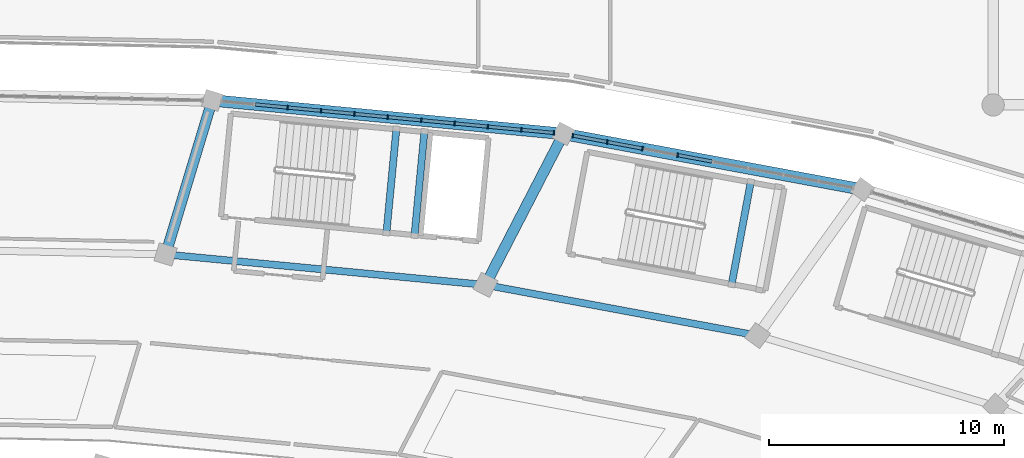
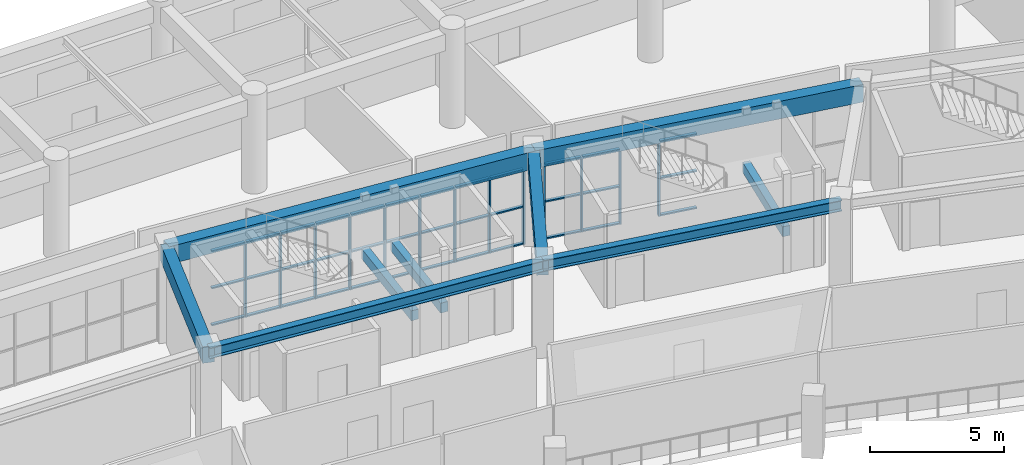
# One storey, part 61 of 141: 49 members, 9 beams, 2 elements without a shape of their own.
"""IFC4 building model written with IfcOpenShell, lengths in metres."""

from ifc_helpers import new_model, si_unit, direction, frame, origin, origin_2d, place, context, subcontext, project, spatial, rectangle, i_section, extrude, material, layer, layer_set, material_profile, profile_set, type_object, element, aggregate, save


model = new_model("IFC4")

# Units and contexts
model_context = context("Model", 3, precision=1e-05, world=origin(), true_north=direction((0.0, 1.0)))
body_context = subcontext(model_context, "Body", "Model", "MODEL_VIEW")
ifc_project = project(units=[si_unit("LENGTHUNIT", "METRE"), si_unit("AREAUNIT", "SQUARE_METRE"), si_unit("VOLUMEUNIT", "CUBIC_METRE"), si_unit("PLANEANGLEUNIT", "RADIAN"), si_unit("MASSUNIT", "GRAM", prefix="KILO")], contexts=[model_context])

# Site, building, storey
site_placement = place(None, origin())
site = spatial("IfcSite", under=ifc_project, at=site_placement, CompositionType="ELEMENT")
building_placement = place(site_placement, origin())
building = spatial("IfcBuilding", under=site, at=building_placement, Name="Mphavela Belvedere Stadium", CompositionType="ELEMENT")
storey_placement = place(building_placement, frame((0.0, 0.0, 14.699951171875)))
storey = spatial("IfcBuildingStorey", under=building, at=storey_placement, Name="L03", CompositionType="ELEMENT", Elevation=14.699951171875)

# Beams
ifc_material_1 = material(Name="Concrete C40/50", Category="concrete")
ifc_material_profile_1 = material_profile(ifc_material_1, rectangle(XDim=0.300048828125, YDim=0.449951171875, at=origin_2d()), Name="RC 300x450")
ifc_profile_set_1 = profile_set([ifc_material_profile_1], Name="Concrete C40/50")
beam_type_1 = type_object("IfcBeamType", Name="BM-RC300x450", PredefinedType="BEAM", material=ifc_profile_set_1)
beam_1_placement = place(storey_placement, frame((144.53515625, 154.541259765625, 1.824951171875), z_axis=(0.094981784239, 0.995479010659, 0.0), x_axis=(-0.995479010659, 0.094981784239, 0.0)))
element("IfcBeam", 1, at=beam_1_placement, inside=storey, type_object=beam_type_1, Name="Core C03 landing trimmer beam L03-1", PredefinedType="BEAM", context=body_context, shape_type="SweptSolid", body=[
    extrude(rectangle(XDim=0.300048828125, YDim=0.449951171875, at=origin_2d()), origin(), (0.0, 0.0, 1.0), 4.469970703125),
])
beam_2_placement = place(storey_placement, frame((145.729736328125, 154.42724609375, 1.824951171875), z_axis=(0.094976620198, 0.995479503363, 0.0), x_axis=(-0.995479503363, 0.094976620198, 0.0)))
element("IfcBeam", 2, at=beam_2_placement, inside=storey, type_object=beam_type_1, Name="Core C03 landing trimmer beam L03-2", PredefinedType="BEAM", context=body_context, shape_type="SweptSolid", body=[
    extrude(rectangle(XDim=0.300048828125, YDim=0.449951171875, at=origin_2d()), origin(), (0.0, 0.0, 1.0), 4.47021484375),
])
beam_3_placement = place(storey_placement, frame((159.233154296875, 152.34033203125, 1.824951171875), z_axis=(0.183137493709, 0.983087309652, 0.0), x_axis=(-0.983087309652, 0.183137493709, 0.0)))
element("IfcBeam", 3, at=beam_3_placement, inside=storey, type_object=beam_type_1, Name="Core P02 landing trimmer beam L03-1", PredefinedType="BEAM", context=body_context, shape_type="SweptSolid", body=[
    extrude(rectangle(XDim=0.300048828125, YDim=0.449951171875, at=origin_2d()), origin(), (0.0, 0.0, 1.0), 4.469970703125),
])
ifc_material_2 = material(Name="Concrete C40/50", Category="concrete")
ifc_material_profile_2 = material_profile(ifc_material_2, rectangle(XDim=0.449951171875, YDim=0.75, at=origin_2d()), Name="RC 450x750")
ifc_profile_set_2 = profile_set([ifc_material_profile_2], Name="Concrete C40/50")
beam_type_2 = type_object("IfcBeamType", Name="BM-RC450x750", PredefinedType="BEAM", material=ifc_profile_set_2)
beam_4_placement = place(storey_placement, frame((148.750244140625, 152.33544921875, 3.875), z_axis=(0.458951286165, 0.888461432436, 0.0), x_axis=(-0.888461432436, 0.458951286165, 0.0)))
element("IfcBeam", 4, at=beam_4_placement, inside=storey, type_object=beam_type_2, Name="Radial concourse girder L03 R3R4-11", PredefinedType="BEAM", context=body_context, shape_type="SweptSolid", body=[
    extrude(rectangle(XDim=0.449951171875, YDim=0.75, at=origin_2d()), origin(), (0.0, 0.0, 1.0), 7.2392578125),
])
beam_5_placement = place(storey_placement, frame((135.1328125, 153.634033203125, 3.875), z_axis=(0.28918755919, 0.95727245631, 0.0), x_axis=(-0.95727245631, 0.28918755919, 0.0)))
element("IfcBeam", 5, at=beam_5_placement, inside=storey, type_object=beam_type_2, Name="Radial concourse girder L03 R3R4-12", PredefinedType="BEAM", context=body_context, shape_type="SweptSolid", body=[
    extrude(rectangle(XDim=0.449951171875, YDim=0.75, at=origin_2d()), origin(), (0.0, 0.0, 1.0), 6.8525390625),
])
ifc_material_3 = material(Name="Concrete C40/50", Category="concrete")
ifc_material_profile_3 = material_profile(ifc_material_3, rectangle(XDim=0.5, YDim=0.800048828125, at=origin_2d()), Name="RC 500x800")
ifc_profile_set_3 = profile_set([ifc_material_profile_3], Name="Concrete C40/50")
beam_type_3 = type_object("IfcBeamType", Name="BM-SPANDREL-800", PredefinedType="SPANDREL", material=ifc_profile_set_3)
beam_6_placement = place(storey_placement, frame((164.80126953125, 156.39697265625, 3.85009765625), z_axis=(-0.983098571421, 0.183077029882, 0.0), x_axis=(-0.183077029882, -0.983098571421, 0.0)))
element("IfcBeam", 6, at=beam_6_placement, inside=storey, type_object=beam_type_3, Name="Circumferential girder L03 R4-10", PredefinedType="SPANDREL", context=body_context, shape_type="SweptSolid", body=[
    extrude(rectangle(XDim=0.5, YDim=0.800048828125, at=origin_2d()), origin(), (0.0, 0.0, 1.0), 12.947265625),
])
beam_7_placement = place(storey_placement, frame((152.07275390625, 158.767333984375, 3.85009765625), z_axis=(-0.995483415661, 0.094935605244, 0.0), x_axis=(-0.094935605244, -0.995483415661, 0.0)))
element("IfcBeam", 7, at=beam_7_placement, inside=storey, type_object=beam_type_3, Name="Circumferential girder L03 R4-11", PredefinedType="SPANDREL", context=body_context, shape_type="SweptSolid", body=[
    extrude(rectangle(XDim=0.5, YDim=0.800048828125, at=origin_2d()), origin(), (0.0, 0.0, 1.0), 15.026123046875),
])
ifc_material_4 = material(Name="Steel S355", Category="steel")
ifc_material_profile_4 = material_profile(ifc_material_4, i_section(OverallWidth=0.300048828125, OverallDepth=0.489990234375, WebThickness=0.011962890625, FlangeThickness=0.02294921875, at=origin_2d()), Name="HEA 500")
ifc_profile_set_4 = profile_set([ifc_material_profile_4], Name="Steel S355")
beam_type_4 = type_object("IfcBeamType", Name="BM-STEEL-HEA500", PredefinedType="BEAM", material=ifc_profile_set_4)
beam_8_placement = place(storey_placement, frame((160.337890625, 150.177490234375, 4.005126953125), z_axis=(-0.983097725009, 0.18308157494, 0.0), x_axis=(-0.18308157494, -0.983097725009, 0.0)))
element("IfcBeam", 8, at=beam_8_placement, inside=storey, type_object=beam_type_4, Name="Circumferential girder L03 R3-10", PredefinedType="BEAM", context=body_context, shape_type="SweptSolid", body=[
    extrude(i_section(OverallWidth=0.300048828125, OverallDepth=0.489990234375, WebThickness=0.011962890625, FlangeThickness=0.02294921875, at=origin_2d()), origin(), (0.0, 0.0, 1.0), 11.786865234375),
])
beam_9_placement = place(storey_placement, frame((148.750244140625, 152.33544921875, 4.005126953125), z_axis=(-0.995483834103, 0.094931217412, 0.0), x_axis=(-0.094931217412, -0.995483834103, 0.0)))
element("IfcBeam", 9, at=beam_9_placement, inside=storey, type_object=beam_type_4, Name="Circumferential girder L03 R3-11", PredefinedType="BEAM", context=body_context, shape_type="SweptSolid", body=[
    extrude(i_section(OverallWidth=0.300048828125, OverallDepth=0.489990234375, WebThickness=0.011962890625, FlangeThickness=0.02294921875, at=origin_2d()), origin(), (0.0, 0.0, 1.0), 13.67919921875),
])

# Curtain wall, members
ifc_material_5 = material(Name="Anodised bronze unitised curtain wall framing")
ifc_layer_1 = layer(ifc_material_5, 0.18505859375)
ifc_layer_set_1 = layer_set([ifc_layer_1], Name="Anodised bronze unitised curtain wall framing")
curtain_wall_type_1 = type_object("IfcCurtainWallType", Name="CW-UNIT-02", PredefinedType="USERDEFINED", material=ifc_layer_set_1)
curtain_wall_1_placement = place(storey_placement, origin())
curtain_wall_1 = element("IfcCurtainWall", 10, at=curtain_wall_1_placement, inside=storey, type_object=curtain_wall_type_1, Name="Belvedere colonnade curtain wall L03-10", ObjectType="UNITISED CURTAIN WALL", PredefinedType="USERDEFINED")
ifc_material_6 = material(Name="Anodised bronze extruded aluminium", Category="aluminium")
ifc_material_profile_5 = material_profile(ifc_material_6, rectangle(XDim=0.179931640625, YDim=0.06494140625, at=origin_2d()), Name="CW-MUL 180x65")
ifc_profile_set_5 = profile_set([ifc_material_profile_5], Name="Anodised bronze extruded aluminium")
member_type_1 = type_object("IfcMemberType", Name="CWM-180x65", PredefinedType="MULLION", material=ifc_profile_set_5)
member_1_placement = place(storey_placement, frame((156.937744140625, 157.861328125, 0.0), z_axis=(0.0, 0.0, 1.0), x_axis=(-0.18308790129, -0.983096546836, 0.0)))
member_1 = element("IfcMember", 11, at=member_1_placement, type_object=member_type_1, Name="CW-02 mullion 6", PredefinedType="MULLION", context=body_context, shape_type="SweptSolid", body=[
    extrude(rectangle(XDim=0.179931640625, YDim=0.06494140625, at=origin_2d()), origin(), (0.0, 0.0, 1.0), 3.420166015625),
])
member_2_placement = place(storey_placement, frame((155.438232421875, 158.140625, 0.0), z_axis=(0.0, 0.0, 1.0), x_axis=(-0.18308790129, -0.983096546836, 0.0)))
member_2 = element("IfcMember", 12, at=member_2_placement, type_object=member_type_1, Name="CW-02 mullion 7", PredefinedType="MULLION", context=body_context, shape_type="SweptSolid", body=[
    extrude(rectangle(XDim=0.179931640625, YDim=0.06494140625, at=origin_2d()), origin(), (0.0, 0.0, 1.0), 3.420166015625),
])
member_3_placement = place(storey_placement, frame((153.93896484375, 158.419921875, 0.0), z_axis=(0.0, 0.0, 1.0), x_axis=(-0.18308790129, -0.983096546836, 0.0)))
member_3 = element("IfcMember", 13, at=member_3_placement, type_object=member_type_1, Name="CW-02 mullion 8", PredefinedType="MULLION", context=body_context, shape_type="SweptSolid", body=[
    extrude(rectangle(XDim=0.179931640625, YDim=0.06494140625, at=origin_2d()), origin(), (0.0, 0.0, 1.0), 3.420166015625),
])
member_4_placement = place(storey_placement, frame((152.471435546875, 158.693115234375, 0.0), z_axis=(0.0, 0.0, 1.0), x_axis=(-0.18308790129, -0.983096546836, 0.0)))
member_4 = element("IfcMember", 14, at=member_4_placement, type_object=member_type_1, Name="CW-02 mullion 9", PredefinedType="MULLION", context=body_context, shape_type="SweptSolid", body=[
    extrude(rectangle(XDim=0.179931640625, YDim=0.06494140625, at=origin_2d()), origin(), (0.0, 0.0, 1.0), 3.420166015625),
])

ifc_material_7 = material(Name="Anodised bronze unitised curtain wall framing")
ifc_layer_2 = layer(ifc_material_7, 0.18994140625)
ifc_layer_set_2 = layer_set([ifc_layer_2], Name="Anodised bronze unitised curtain wall framing")
curtain_wall_type_2 = type_object("IfcCurtainWallType", Name="CW-UNIT-03", PredefinedType="USERDEFINED", material=ifc_layer_set_2)
curtain_wall_2_placement = place(storey_placement, origin())
curtain_wall_2 = element("IfcCurtainWall", 15, at=curtain_wall_2_placement, inside=storey, type_object=curtain_wall_type_2, Name="Belvedere colonnade curtain wall L03-11", ObjectType="UNITISED CURTAIN WALL", PredefinedType="USERDEFINED")
member_5_placement = place(storey_placement, frame((151.669189453125, 158.805908203125, 0.0), z_axis=(0.0, 0.0, 1.0), x_axis=(-0.094929381996, -0.99548400913, 0.0)))
member_5 = element("IfcMember", 16, at=member_5_placement, type_object=member_type_1, Name="CW-03 mullion 1", PredefinedType="MULLION", context=body_context, shape_type="SweptSolid", body=[
    extrude(rectangle(XDim=0.179931640625, YDim=0.06494140625, at=origin_2d()), origin(), (0.0, 0.0, 1.0), 3.420166015625),
])
member_6_placement = place(storey_placement, frame((150.280029296875, 158.9384765625, 0.0), z_axis=(0.0, 0.0, 1.0), x_axis=(-0.094929381996, -0.99548400913, 0.0)))
member_6 = element("IfcMember", 17, at=member_6_placement, type_object=member_type_1, Name="CW-03 mullion 2", PredefinedType="MULLION", context=body_context, shape_type="SweptSolid", body=[
    extrude(rectangle(XDim=0.179931640625, YDim=0.06494140625, at=origin_2d()), origin(), (0.0, 0.0, 1.0), 3.420166015625),
])
member_7_placement = place(storey_placement, frame((148.8583984375, 159.073974609375, 0.0), z_axis=(0.0, 0.0, 1.0), x_axis=(-0.094929381996, -0.99548400913, 0.0)))
member_7 = element("IfcMember", 18, at=member_7_placement, type_object=member_type_1, Name="CW-03 mullion 3", PredefinedType="MULLION", context=body_context, shape_type="SweptSolid", body=[
    extrude(rectangle(XDim=0.179931640625, YDim=0.06494140625, at=origin_2d()), origin(), (0.0, 0.0, 1.0), 3.420166015625),
])
member_8_placement = place(storey_placement, frame((147.436767578125, 159.20947265625, 0.0), z_axis=(0.0, 0.0, 1.0), x_axis=(-0.094929381996, -0.99548400913, 0.0)))
member_8 = element("IfcMember", 19, at=member_8_placement, type_object=member_type_1, Name="CW-03 mullion 4", PredefinedType="MULLION", context=body_context, shape_type="SweptSolid", body=[
    extrude(rectangle(XDim=0.179931640625, YDim=0.06494140625, at=origin_2d()), origin(), (0.0, 0.0, 1.0), 3.420166015625),
])
member_9_placement = place(storey_placement, frame((146.015380859375, 159.344970703125, 0.0), z_axis=(0.0, 0.0, 1.0), x_axis=(-0.094929381996, -0.99548400913, 0.0)))
member_9 = element("IfcMember", 20, at=member_9_placement, type_object=member_type_1, Name="CW-03 mullion 5", PredefinedType="MULLION", context=body_context, shape_type="SweptSolid", body=[
    extrude(rectangle(XDim=0.179931640625, YDim=0.06494140625, at=origin_2d()), origin(), (0.0, 0.0, 1.0), 3.420166015625),
])
member_10_placement = place(storey_placement, frame((144.59375, 159.480712890625, 0.0), z_axis=(0.0, 0.0, 1.0), x_axis=(-0.094929381996, -0.99548400913, 0.0)))
member_10 = element("IfcMember", 21, at=member_10_placement, type_object=member_type_1, Name="CW-03 mullion 6", PredefinedType="MULLION", context=body_context, shape_type="SweptSolid", body=[
    extrude(rectangle(XDim=0.179931640625, YDim=0.06494140625, at=origin_2d()), origin(), (0.0, 0.0, 1.0), 3.420166015625),
])
member_11_placement = place(storey_placement, frame((143.172119140625, 159.6162109375, 0.0), z_axis=(0.0, 0.0, 1.0), x_axis=(-0.094929381996, -0.99548400913, 0.0)))
member_11 = element("IfcMember", 22, at=member_11_placement, type_object=member_type_1, Name="CW-03 mullion 7", PredefinedType="MULLION", context=body_context, shape_type="SweptSolid", body=[
    extrude(rectangle(XDim=0.179931640625, YDim=0.06494140625, at=origin_2d()), origin(), (0.0, 0.0, 1.0), 3.420166015625),
])
member_12_placement = place(storey_placement, frame((141.75048828125, 159.751708984375, 0.0), z_axis=(0.0, 0.0, 1.0), x_axis=(-0.094929381996, -0.99548400913, 0.0)))
member_12 = element("IfcMember", 23, at=member_12_placement, type_object=member_type_1, Name="CW-03 mullion 8", PredefinedType="MULLION", context=body_context, shape_type="SweptSolid", body=[
    extrude(rectangle(XDim=0.179931640625, YDim=0.06494140625, at=origin_2d()), origin(), (0.0, 0.0, 1.0), 3.420166015625),
])
member_13_placement = place(storey_placement, frame((140.3291015625, 159.88720703125, 0.0), z_axis=(0.0, 0.0, 1.0), x_axis=(-0.094929381996, -0.99548400913, 0.0)))
member_13 = element("IfcMember", 24, at=member_13_placement, type_object=member_type_1, Name="CW-03 mullion 9", PredefinedType="MULLION", context=body_context, shape_type="SweptSolid", body=[
    extrude(rectangle(XDim=0.179931640625, YDim=0.06494140625, at=origin_2d()), origin(), (0.0, 0.0, 1.0), 3.420166015625),
])

# Member
ifc_material_8 = material(Name="Anodised bronze extruded aluminium", Category="aluminium")
ifc_material_profile_6 = material_profile(ifc_material_8, rectangle(XDim=0.139892578125, YDim=0.06005859375, at=origin_2d()), Name="CW-TRN 140x60")
ifc_profile_set_6 = profile_set([ifc_material_profile_6], Name="Anodised bronze extruded aluminium")
member_type_2 = type_object("IfcMemberType", Name="CWT-140x60", PredefinedType="USERDEFINED", material=ifc_profile_set_6)
member_14_placement = place(storey_placement, frame((158.405029296875, 157.588134765625, 0.030029296875), z_axis=(-0.983098571421, 0.183077029882, 0.0), x_axis=(-0.183077029882, -0.983098571421, 0.0)))
member_14 = element("IfcMember", 25, at=member_14_placement, type_object=member_type_2, Name="CW-02 transom 5.1", ObjectType="TRANSOM", PredefinedType="USERDEFINED", context=body_context, shape_type="SweptSolid", body=[
    extrude(rectangle(XDim=0.139892578125, YDim=0.06005859375, at=origin_2d()), origin(), (0.0, 0.0, 1.0), 1.460205078125),
])

member_15_placement = place(storey_placement, frame((158.405029296875, 157.588134765625, 1.7099609375), z_axis=(-0.983098571421, 0.183077029882, 0.0), x_axis=(-0.183077029882, -0.983098571421, 0.0)))
member_15 = element("IfcMember", 26, at=member_15_placement, type_object=member_type_2, Name="CW-02 transom 5.2", ObjectType="TRANSOM", PredefinedType="USERDEFINED", context=body_context, shape_type="SweptSolid", body=[
    extrude(rectangle(XDim=0.139892578125, YDim=0.06005859375, at=origin_2d()), origin(), (0.0, 0.0, 1.0), 1.460205078125),
])

member_16_placement = place(storey_placement, frame((158.405029296875, 157.588134765625, 3.39013671875), z_axis=(-0.983098571421, 0.183077029882, 0.0), x_axis=(-0.183077029882, -0.983098571421, 0.0)))
member_16 = element("IfcMember", 27, at=member_16_placement, type_object=member_type_2, Name="CW-02 transom 5.3", ObjectType="TRANSOM", PredefinedType="USERDEFINED", context=body_context, shape_type="SweptSolid", body=[
    extrude(rectangle(XDim=0.139892578125, YDim=0.06005859375, at=origin_2d()), origin(), (0.0, 0.0, 1.0), 1.460205078125),
])

member_17_placement = place(storey_placement, frame((155.40625, 158.146484375, 0.030029296875), z_axis=(-0.983092966177, 0.183107126716, 0.0), x_axis=(-0.183107126716, -0.983092966177, 0.0)))
member_17 = element("IfcMember", 28, at=member_17_placement, type_object=member_type_2, Name="CW-02 transom 7.1", ObjectType="TRANSOM", PredefinedType="USERDEFINED", context=body_context, shape_type="SweptSolid", body=[
    extrude(rectangle(XDim=0.139892578125, YDim=0.06005859375, at=origin_2d()), origin(), (0.0, 0.0, 1.0), 1.4599609375),
])

member_18_placement = place(storey_placement, frame((155.40625, 158.146484375, 1.7099609375), z_axis=(-0.983092966177, 0.183107126716, 0.0), x_axis=(-0.183107126716, -0.983092966177, 0.0)))
member_18 = element("IfcMember", 29, at=member_18_placement, type_object=member_type_2, Name="CW-02 transom 7.2", ObjectType="TRANSOM", PredefinedType="USERDEFINED", context=body_context, shape_type="SweptSolid", body=[
    extrude(rectangle(XDim=0.139892578125, YDim=0.06005859375, at=origin_2d()), origin(), (0.0, 0.0, 1.0), 1.4599609375),
])

member_19_placement = place(storey_placement, frame((155.40625, 158.146484375, 3.39013671875), z_axis=(-0.983092966177, 0.183107126716, 0.0), x_axis=(-0.183107126716, -0.983092966177, 0.0)))
member_19 = element("IfcMember", 30, at=member_19_placement, type_object=member_type_2, Name="CW-02 transom 7.3", ObjectType="TRANSOM", PredefinedType="USERDEFINED", context=body_context, shape_type="SweptSolid", body=[
    extrude(rectangle(XDim=0.139892578125, YDim=0.06005859375, at=origin_2d()), origin(), (0.0, 0.0, 1.0), 1.4599609375),
])

member_20_placement = place(storey_placement, frame((153.906982421875, 158.42578125, 0.030029296875), z_axis=(-0.983086399659, 0.183142378507, 0.0), x_axis=(-0.183142378507, -0.983086399659, 0.0)))
member_20 = element("IfcMember", 31, at=member_20_placement, type_object=member_type_2, Name="CW-02 transom 8.1", ObjectType="TRANSOM", PredefinedType="USERDEFINED", context=body_context, shape_type="SweptSolid", body=[
    extrude(rectangle(XDim=0.139892578125, YDim=0.06005859375, at=origin_2d()), origin(), (0.0, 0.0, 1.0), 1.427734375),
])

member_21_placement = place(storey_placement, frame((153.906982421875, 158.42578125, 1.7099609375), z_axis=(-0.983086399659, 0.183142378507, 0.0), x_axis=(-0.183142378507, -0.983086399659, 0.0)))
member_21 = element("IfcMember", 32, at=member_21_placement, type_object=member_type_2, Name="CW-02 transom 8.2", ObjectType="TRANSOM", PredefinedType="USERDEFINED", context=body_context, shape_type="SweptSolid", body=[
    extrude(rectangle(XDim=0.139892578125, YDim=0.06005859375, at=origin_2d()), origin(), (0.0, 0.0, 1.0), 1.427734375),
])

member_22_placement = place(storey_placement, frame((153.906982421875, 158.42578125, 3.39013671875), z_axis=(-0.983086399659, 0.183142378507, 0.0), x_axis=(-0.183142378507, -0.983086399659, 0.0)))
member_22 = element("IfcMember", 33, at=member_22_placement, type_object=member_type_2, Name="CW-02 transom 8.3", ObjectType="TRANSOM", PredefinedType="USERDEFINED", context=body_context, shape_type="SweptSolid", body=[
    extrude(rectangle(XDim=0.139892578125, YDim=0.06005859375, at=origin_2d()), origin(), (0.0, 0.0, 1.0), 1.427734375),
])

aggregate(curtain_wall_1, [member_1, member_2, member_3, member_4, member_14, member_15, member_16, member_17, member_18, member_19, member_20, member_21, member_22])

member_23_placement = place(storey_placement, frame((151.63671875, 158.80908203125, 0.030029296875), z_axis=(-0.995489697702, 0.09486970944, 0.0), x_axis=(-0.09486970944, -0.995489697702, 0.0)))
member_23 = element("IfcMember", 34, at=member_23_placement, type_object=member_type_2, Name="CW-03 transom 1.1", ObjectType="TRANSOM", PredefinedType="USERDEFINED", context=body_context, shape_type="SweptSolid", body=[
    extrude(rectangle(XDim=0.139892578125, YDim=0.06005859375, at=origin_2d()), origin(), (0.0, 0.0, 1.0), 1.33056640625),
])

member_24_placement = place(storey_placement, frame((151.63671875, 158.80908203125, 1.7099609375), z_axis=(-0.995489697702, 0.09486970944, 0.0), x_axis=(-0.09486970944, -0.995489697702, 0.0)))
member_24 = element("IfcMember", 35, at=member_24_placement, type_object=member_type_2, Name="CW-03 transom 1.2", ObjectType="TRANSOM", PredefinedType="USERDEFINED", context=body_context, shape_type="SweptSolid", body=[
    extrude(rectangle(XDim=0.139892578125, YDim=0.06005859375, at=origin_2d()), origin(), (0.0, 0.0, 1.0), 1.33056640625),
])

member_25_placement = place(storey_placement, frame((151.63671875, 158.80908203125, 3.39013671875), z_axis=(-0.995489697702, 0.09486970944, 0.0), x_axis=(-0.09486970944, -0.995489697702, 0.0)))
member_25 = element("IfcMember", 36, at=member_25_placement, type_object=member_type_2, Name="CW-03 transom 1.3", ObjectType="TRANSOM", PredefinedType="USERDEFINED", context=body_context, shape_type="SweptSolid", body=[
    extrude(rectangle(XDim=0.139892578125, YDim=0.06005859375, at=origin_2d()), origin(), (0.0, 0.0, 1.0), 1.33056640625),
])

member_26_placement = place(storey_placement, frame((150.24755859375, 158.94140625, 0.030029296875), z_axis=(-0.995484195822, 0.094927424215, 0.0), x_axis=(-0.094927424215, -0.995484195822, 0.0)))
member_26 = element("IfcMember", 37, at=member_26_placement, type_object=member_type_2, Name="CW-03 transom 2.1", ObjectType="TRANSOM", PredefinedType="USERDEFINED", context=body_context, shape_type="SweptSolid", body=[
    extrude(rectangle(XDim=0.139892578125, YDim=0.06005859375, at=origin_2d()), origin(), (0.0, 0.0, 1.0), 1.363037109375),
])

member_27_placement = place(storey_placement, frame((150.24755859375, 158.94140625, 1.7099609375), z_axis=(-0.995484195822, 0.094927424215, 0.0), x_axis=(-0.094927424215, -0.995484195822, 0.0)))
member_27 = element("IfcMember", 38, at=member_27_placement, type_object=member_type_2, Name="CW-03 transom 2.2", ObjectType="TRANSOM", PredefinedType="USERDEFINED", context=body_context, shape_type="SweptSolid", body=[
    extrude(rectangle(XDim=0.139892578125, YDim=0.06005859375, at=origin_2d()), origin(), (0.0, 0.0, 1.0), 1.363037109375),
])

member_28_placement = place(storey_placement, frame((150.24755859375, 158.94140625, 3.39013671875), z_axis=(-0.995484195822, 0.094927424215, 0.0), x_axis=(-0.094927424215, -0.995484195822, 0.0)))
member_28 = element("IfcMember", 39, at=member_28_placement, type_object=member_type_2, Name="CW-03 transom 2.3", ObjectType="TRANSOM", PredefinedType="USERDEFINED", context=body_context, shape_type="SweptSolid", body=[
    extrude(rectangle(XDim=0.139892578125, YDim=0.06005859375, at=origin_2d()), origin(), (0.0, 0.0, 1.0), 1.363037109375),
])

member_29_placement = place(storey_placement, frame((148.825927734375, 159.076904296875, 0.030029296875), z_axis=(-0.995482581407, 0.094944352734, 0.0), x_axis=(-0.094944352734, -0.995482581407, 0.0)))
member_29 = element("IfcMember", 40, at=member_29_placement, type_object=member_type_2, Name="CW-03 transom 3.1", ObjectType="TRANSOM", PredefinedType="USERDEFINED", context=body_context, shape_type="SweptSolid", body=[
    extrude(rectangle(XDim=0.139892578125, YDim=0.06005859375, at=origin_2d()), origin(), (0.0, 0.0, 1.0), 1.36279296875),
])

member_30_placement = place(storey_placement, frame((148.825927734375, 159.076904296875, 1.7099609375), z_axis=(-0.995482581407, 0.094944352734, 0.0), x_axis=(-0.094944352734, -0.995482581407, 0.0)))
member_30 = element("IfcMember", 41, at=member_30_placement, type_object=member_type_2, Name="CW-03 transom 3.2", ObjectType="TRANSOM", PredefinedType="USERDEFINED", context=body_context, shape_type="SweptSolid", body=[
    extrude(rectangle(XDim=0.139892578125, YDim=0.06005859375, at=origin_2d()), origin(), (0.0, 0.0, 1.0), 1.36279296875),
])

member_31_placement = place(storey_placement, frame((148.825927734375, 159.076904296875, 3.39013671875), z_axis=(-0.995482581407, 0.094944352734, 0.0), x_axis=(-0.094944352734, -0.995482581407, 0.0)))
member_31 = element("IfcMember", 42, at=member_31_placement, type_object=member_type_2, Name="CW-03 transom 3.3", ObjectType="TRANSOM", PredefinedType="USERDEFINED", context=body_context, shape_type="SweptSolid", body=[
    extrude(rectangle(XDim=0.139892578125, YDim=0.06005859375, at=origin_2d()), origin(), (0.0, 0.0, 1.0), 1.36279296875),
])

member_32_placement = place(storey_placement, frame((147.404541015625, 159.212646484375, 0.030029296875), z_axis=(-0.995484195822, 0.094927424215, 0.0), x_axis=(-0.094927424215, -0.995484195822, 0.0)))
member_32 = element("IfcMember", 43, at=member_32_placement, type_object=member_type_2, Name="CW-03 transom 4.1", ObjectType="TRANSOM", PredefinedType="USERDEFINED", context=body_context, shape_type="SweptSolid", body=[
    extrude(rectangle(XDim=0.139892578125, YDim=0.06005859375, at=origin_2d()), origin(), (0.0, 0.0, 1.0), 1.363037109375),
])

member_33_placement = place(storey_placement, frame((147.404541015625, 159.212646484375, 1.7099609375), z_axis=(-0.995484195822, 0.094927424215, 0.0), x_axis=(-0.094927424215, -0.995484195822, 0.0)))
member_33 = element("IfcMember", 44, at=member_33_placement, type_object=member_type_2, Name="CW-03 transom 4.2", ObjectType="TRANSOM", PredefinedType="USERDEFINED", context=body_context, shape_type="SweptSolid", body=[
    extrude(rectangle(XDim=0.139892578125, YDim=0.06005859375, at=origin_2d()), origin(), (0.0, 0.0, 1.0), 1.363037109375),
])

member_34_placement = place(storey_placement, frame((147.404541015625, 159.212646484375, 3.39013671875), z_axis=(-0.995484195822, 0.094927424215, 0.0), x_axis=(-0.094927424215, -0.995484195822, 0.0)))
member_34 = element("IfcMember", 45, at=member_34_placement, type_object=member_type_2, Name="CW-03 transom 4.3", ObjectType="TRANSOM", PredefinedType="USERDEFINED", context=body_context, shape_type="SweptSolid", body=[
    extrude(rectangle(XDim=0.139892578125, YDim=0.06005859375, at=origin_2d()), origin(), (0.0, 0.0, 1.0), 1.363037109375),
])

member_35_placement = place(storey_placement, frame((145.98291015625, 159.34814453125, 0.030029296875), z_axis=(-0.995484195822, 0.094927424215, 0.0), x_axis=(-0.094927424215, -0.995484195822, 0.0)))
member_35 = element("IfcMember", 46, at=member_35_placement, type_object=member_type_2, Name="CW-03 transom 5.1", ObjectType="TRANSOM", PredefinedType="USERDEFINED", context=body_context, shape_type="SweptSolid", body=[
    extrude(rectangle(XDim=0.139892578125, YDim=0.06005859375, at=origin_2d()), origin(), (0.0, 0.0, 1.0), 1.363037109375),
])

member_36_placement = place(storey_placement, frame((145.98291015625, 159.34814453125, 1.7099609375), z_axis=(-0.995484195822, 0.094927424215, 0.0), x_axis=(-0.094927424215, -0.995484195822, 0.0)))
member_36 = element("IfcMember", 47, at=member_36_placement, type_object=member_type_2, Name="CW-03 transom 5.2", ObjectType="TRANSOM", PredefinedType="USERDEFINED", context=body_context, shape_type="SweptSolid", body=[
    extrude(rectangle(XDim=0.139892578125, YDim=0.06005859375, at=origin_2d()), origin(), (0.0, 0.0, 1.0), 1.363037109375),
])

member_37_placement = place(storey_placement, frame((145.98291015625, 159.34814453125, 3.39013671875), z_axis=(-0.995484195822, 0.094927424215, 0.0), x_axis=(-0.094927424215, -0.995484195822, 0.0)))
member_37 = element("IfcMember", 48, at=member_37_placement, type_object=member_type_2, Name="CW-03 transom 5.3", ObjectType="TRANSOM", PredefinedType="USERDEFINED", context=body_context, shape_type="SweptSolid", body=[
    extrude(rectangle(XDim=0.139892578125, YDim=0.06005859375, at=origin_2d()), origin(), (0.0, 0.0, 1.0), 1.363037109375),
])

member_38_placement = place(storey_placement, frame((144.561279296875, 159.483642578125, 0.030029296875), z_axis=(-0.995482581407, 0.094944352734, 0.0), x_axis=(-0.094944352734, -0.995482581407, 0.0)))
member_38 = element("IfcMember", 49, at=member_38_placement, type_object=member_type_2, Name="CW-03 transom 6.1", ObjectType="TRANSOM", PredefinedType="USERDEFINED", context=body_context, shape_type="SweptSolid", body=[
    extrude(rectangle(XDim=0.139892578125, YDim=0.06005859375, at=origin_2d()), origin(), (0.0, 0.0, 1.0), 1.36279296875),
])

member_39_placement = place(storey_placement, frame((144.561279296875, 159.483642578125, 1.7099609375), z_axis=(-0.995482581407, 0.094944352734, 0.0), x_axis=(-0.094944352734, -0.995482581407, 0.0)))
member_39 = element("IfcMember", 50, at=member_39_placement, type_object=member_type_2, Name="CW-03 transom 6.2", ObjectType="TRANSOM", PredefinedType="USERDEFINED", context=body_context, shape_type="SweptSolid", body=[
    extrude(rectangle(XDim=0.139892578125, YDim=0.06005859375, at=origin_2d()), origin(), (0.0, 0.0, 1.0), 1.36279296875),
])

member_40_placement = place(storey_placement, frame((144.561279296875, 159.483642578125, 3.39013671875), z_axis=(-0.995482581407, 0.094944352734, 0.0), x_axis=(-0.094944352734, -0.995482581407, 0.0)))
member_40 = element("IfcMember", 51, at=member_40_placement, type_object=member_type_2, Name="CW-03 transom 6.3", ObjectType="TRANSOM", PredefinedType="USERDEFINED", context=body_context, shape_type="SweptSolid", body=[
    extrude(rectangle(XDim=0.139892578125, YDim=0.06005859375, at=origin_2d()), origin(), (0.0, 0.0, 1.0), 1.36279296875),
])

member_41_placement = place(storey_placement, frame((143.139892578125, 159.619140625, 0.030029296875), z_axis=(-0.995484195822, 0.094927424215, 0.0), x_axis=(-0.094927424215, -0.995484195822, 0.0)))
member_41 = element("IfcMember", 52, at=member_41_placement, type_object=member_type_2, Name="CW-03 transom 7.1", ObjectType="TRANSOM", PredefinedType="USERDEFINED", context=body_context, shape_type="SweptSolid", body=[
    extrude(rectangle(XDim=0.139892578125, YDim=0.06005859375, at=origin_2d()), origin(), (0.0, 0.0, 1.0), 1.363037109375),
])

member_42_placement = place(storey_placement, frame((143.139892578125, 159.619140625, 1.7099609375), z_axis=(-0.995484195822, 0.094927424215, 0.0), x_axis=(-0.094927424215, -0.995484195822, 0.0)))
member_42 = element("IfcMember", 53, at=member_42_placement, type_object=member_type_2, Name="CW-03 transom 7.2", ObjectType="TRANSOM", PredefinedType="USERDEFINED", context=body_context, shape_type="SweptSolid", body=[
    extrude(rectangle(XDim=0.139892578125, YDim=0.06005859375, at=origin_2d()), origin(), (0.0, 0.0, 1.0), 1.363037109375),
])

member_43_placement = place(storey_placement, frame((143.139892578125, 159.619140625, 3.39013671875), z_axis=(-0.995484195822, 0.094927424215, 0.0), x_axis=(-0.094927424215, -0.995484195822, 0.0)))
member_43 = element("IfcMember", 54, at=member_43_placement, type_object=member_type_2, Name="CW-03 transom 7.3", ObjectType="TRANSOM", PredefinedType="USERDEFINED", context=body_context, shape_type="SweptSolid", body=[
    extrude(rectangle(XDim=0.139892578125, YDim=0.06005859375, at=origin_2d()), origin(), (0.0, 0.0, 1.0), 1.363037109375),
])

member_44_placement = place(storey_placement, frame((141.71826171875, 159.7548828125, 0.030029296875), z_axis=(-0.995484195822, 0.094927424215, 0.0), x_axis=(-0.094927424215, -0.995484195822, 0.0)))
member_44 = element("IfcMember", 55, at=member_44_placement, type_object=member_type_2, Name="CW-03 transom 8.1", ObjectType="TRANSOM", PredefinedType="USERDEFINED", context=body_context, shape_type="SweptSolid", body=[
    extrude(rectangle(XDim=0.139892578125, YDim=0.06005859375, at=origin_2d()), origin(), (0.0, 0.0, 1.0), 1.363037109375),
])

member_45_placement = place(storey_placement, frame((141.71826171875, 159.7548828125, 1.7099609375), z_axis=(-0.995484195822, 0.094927424215, 0.0), x_axis=(-0.094927424215, -0.995484195822, 0.0)))
member_45 = element("IfcMember", 56, at=member_45_placement, type_object=member_type_2, Name="CW-03 transom 8.2", ObjectType="TRANSOM", PredefinedType="USERDEFINED", context=body_context, shape_type="SweptSolid", body=[
    extrude(rectangle(XDim=0.139892578125, YDim=0.06005859375, at=origin_2d()), origin(), (0.0, 0.0, 1.0), 1.363037109375),
])

member_46_placement = place(storey_placement, frame((141.71826171875, 159.7548828125, 3.39013671875), z_axis=(-0.995484195822, 0.094927424215, 0.0), x_axis=(-0.094927424215, -0.995484195822, 0.0)))
member_46 = element("IfcMember", 57, at=member_46_placement, type_object=member_type_2, Name="CW-03 transom 8.3", ObjectType="TRANSOM", PredefinedType="USERDEFINED", context=body_context, shape_type="SweptSolid", body=[
    extrude(rectangle(XDim=0.139892578125, YDim=0.06005859375, at=origin_2d()), origin(), (0.0, 0.0, 1.0), 1.363037109375),
])

member_47_placement = place(storey_placement, frame((140.296630859375, 159.890380859375, 0.030029296875), z_axis=(-0.995484195822, 0.094927424215, 0.0), x_axis=(-0.094927424215, -0.995484195822, 0.0)))
member_47 = element("IfcMember", 58, at=member_47_placement, type_object=member_type_2, Name="CW-03 transom 9.1", ObjectType="TRANSOM", PredefinedType="USERDEFINED", context=body_context, shape_type="SweptSolid", body=[
    extrude(rectangle(XDim=0.139892578125, YDim=0.06005859375, at=origin_2d()), origin(), (0.0, 0.0, 1.0), 1.363037109375),
])

member_48_placement = place(storey_placement, frame((140.296630859375, 159.890380859375, 1.7099609375), z_axis=(-0.995484195822, 0.094927424215, 0.0), x_axis=(-0.094927424215, -0.995484195822, 0.0)))
member_48 = element("IfcMember", 59, at=member_48_placement, type_object=member_type_2, Name="CW-03 transom 9.2", ObjectType="TRANSOM", PredefinedType="USERDEFINED", context=body_context, shape_type="SweptSolid", body=[
    extrude(rectangle(XDim=0.139892578125, YDim=0.06005859375, at=origin_2d()), origin(), (0.0, 0.0, 1.0), 1.363037109375),
])

member_49_placement = place(storey_placement, frame((140.296630859375, 159.890380859375, 3.39013671875), z_axis=(-0.995484195822, 0.094927424215, 0.0), x_axis=(-0.094927424215, -0.995484195822, 0.0)))
member_49 = element("IfcMember", 60, at=member_49_placement, type_object=member_type_2, Name="CW-03 transom 9.3", ObjectType="TRANSOM", PredefinedType="USERDEFINED", context=body_context, shape_type="SweptSolid", body=[
    extrude(rectangle(XDim=0.139892578125, YDim=0.06005859375, at=origin_2d()), origin(), (0.0, 0.0, 1.0), 1.363037109375),
])

aggregate(curtain_wall_2, [member_5, member_6, member_7, member_8, member_9, member_10, member_11, member_12, member_13, member_23, member_24, member_25, member_26, member_27, member_28, member_29, member_30, member_31, member_32, member_33, member_34, member_35, member_36, member_37, member_38, member_39, member_40, member_41, member_42, member_43, member_44, member_45, member_46, member_47, member_48, member_49])

save(model, "model.ifc")
